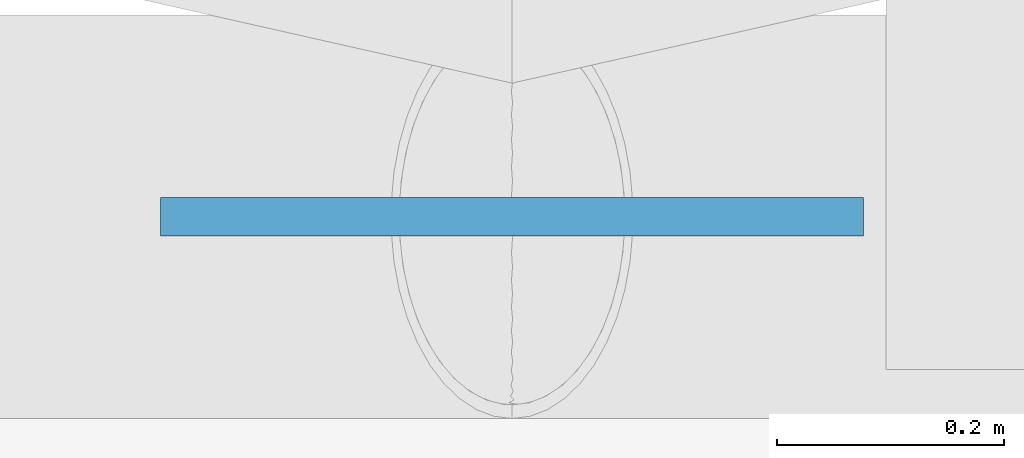
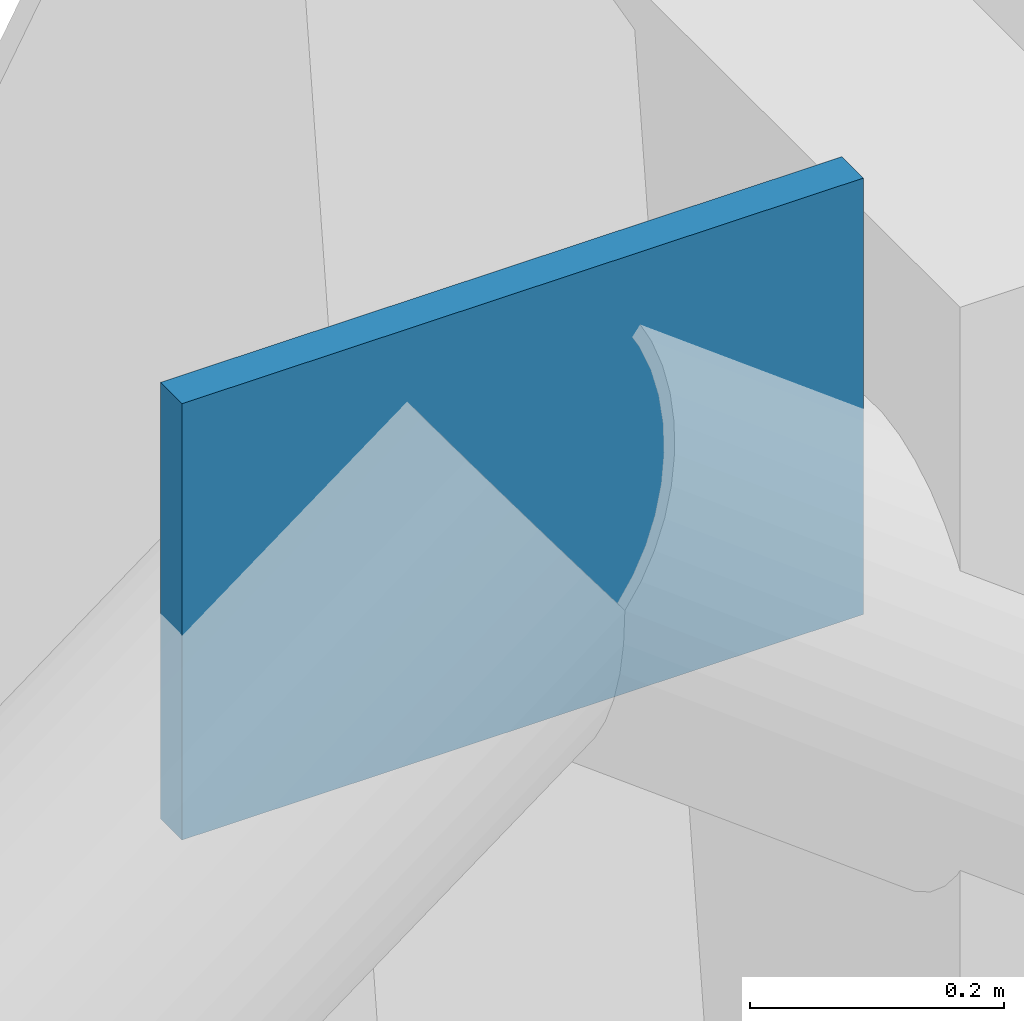
# One storey, part 48 of 96: 1 plate.
"""IFC4 building model written with IfcOpenShell, lengths in metres."""

from ifc_helpers import new_model, si_unit, derived_unit, direction, frame, origin, origin_2d, place, context, subcontext, project, spatial, rectangle, extrude, material, layer, layer_set, type_object, element, save


model = new_model("IFC4")

# Units and contexts
model_context = context("Model", 3, precision=1e-05, world=origin(), true_north=direction((0.0, 1.0)))
body_context = subcontext(model_context, "Body", "Model", "MODEL_VIEW")
ifc_project = project(units=[si_unit("LENGTHUNIT", "METRE"), si_unit("AREAUNIT", "SQUARE_METRE"), si_unit("VOLUMEUNIT", "CUBIC_METRE"), si_unit("PLANEANGLEUNIT", "RADIAN"), si_unit("MASSUNIT", "GRAM", prefix="KILO"), si_unit("THERMODYNAMICTEMPERATUREUNIT", "KELVIN"), derived_unit("THERMALTRANSMITTANCEUNIT", [(si_unit("POWERUNIT", "WATT"), 1), (si_unit("AREAUNIT", "SQUARE_METRE"), -1), (si_unit("THERMODYNAMICTEMPERATUREUNIT", "KELVIN"), -1)])], contexts=[model_context])

# Site, building, storey
site_placement = place(None, origin())
site = spatial("IfcSite", under=ifc_project, at=site_placement, CompositionType="ELEMENT")
building_placement = place(site_placement, origin())
building = spatial("IfcBuilding", under=site, at=building_placement, Name="Haiyu Intermodal Mobility Hub", CompositionType="ELEMENT")
storey_placement = place(building_placement, frame((0.0, 0.0, 9.5)))
storey = spatial("IfcBuildingStorey", under=building, at=storey_placement, Name="L02", CompositionType="ELEMENT", Elevation=9.5)

# Plate
ifc_material = material(Name="Steel Q355C", Category="steel")
ifc_layer = layer(ifc_material, 0.033935546875)
ifc_layer_set = layer_set([ifc_layer], Name="Steel Q355C")
plate_type = type_object("IfcPlateType", Name="PLT-GP04", PredefinedType="USERDEFINED", material=ifc_layer_set)
plate_placement = place(storey_placement, frame((142.0, 148.0, 2.7900390625), z_axis=(0.0, 0.0, 1.0), x_axis=(1.0, 0.0, 0.0)))
element("IfcPlate", 1, at=plate_placement, inside=storey, type_object=plate_type, Name="Chevron Brace Apex Gusset GP-B092", ObjectType="GUSSET PLATE", PredefinedType="USERDEFINED", context=body_context, shape_type="SweptSolid", body=[
    extrude(rectangle(XDim=0.6201171875, YDim=0.033935546875, at=origin_2d()), origin(), (0.0, 0.0, 1.0), 0.419921875),
])

save(model, "model.ifc")
